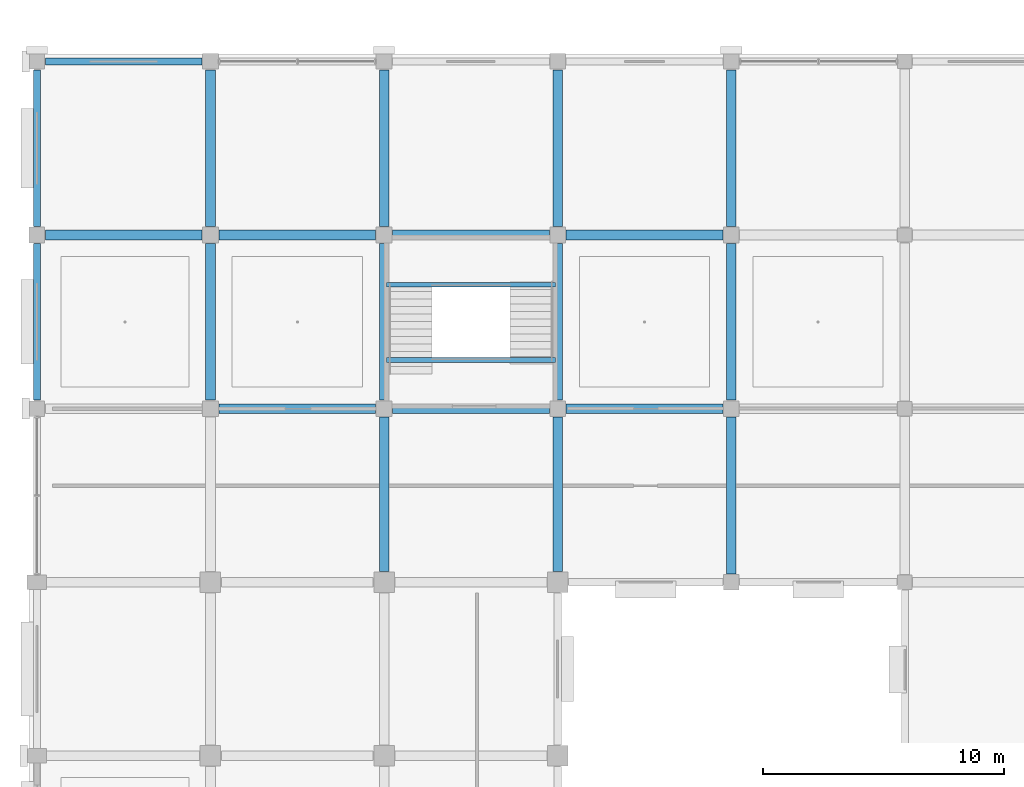
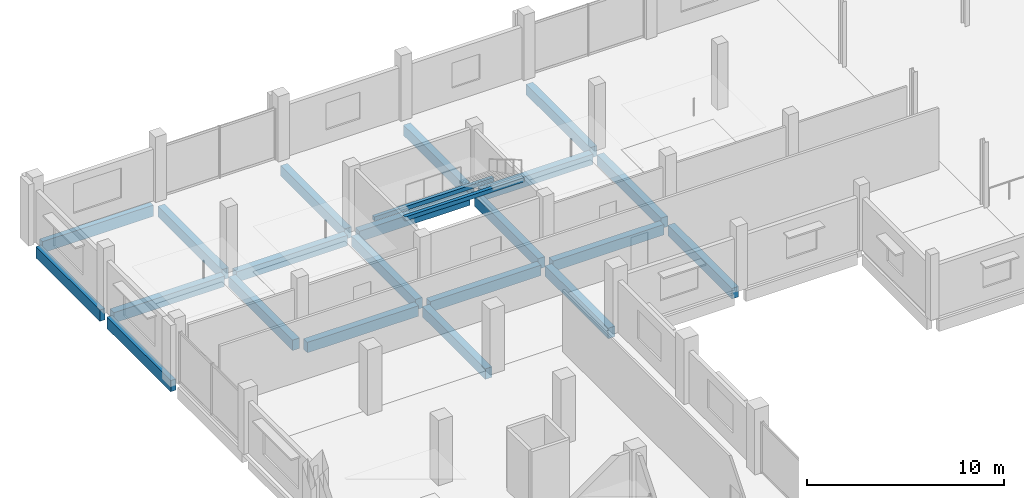
# One storey, part 33 of 107: 23 beams.
"""IFC4 building model written with IfcOpenShell, lengths in metres."""

import ifcopenshell
import ifcopenshell.guid

model = None  # the IFC model being written
_history = None  # IfcOwnerHistory: only IFC2X3 demands one
_inside = {}  # id of a spatial element -> (the spatial element, [elements in it])
_under = {}  # id of a project, library or spatial element -> (it, [spatial elements below it])
_declared = {}  # id of a project -> (the project, [libraries it declares])
_typed = {}  # id of a type object -> (the type object, [elements of that type])
_made_of = {}  # id of a material, layer set ... -> (it, [elements and type objects made of it])


def new_model(schema):
    """Start an empty IFC model of exactly this schema.

    Asked for "IFC4X3", IfcOpenShell would pick the latest addendum, in which some entities
    have other attributes; the version numbers below select the first issue.
    IFC2X3 requires an IfcOwnerHistory on every rooted entity: one is made here for all.
    """
    global model, _history
    if schema == "IFC4X3":
        model = ifcopenshell.file(schema_version=(4, 3, 0, 0))
    else:
        model = ifcopenshell.file(schema=schema)
    _inside.clear()
    _under.clear()
    _declared.clear()
    _typed.clear()
    _made_of.clear()
    _history = None
    if model.schema == "IFC2X3":
        org = make("IfcOrganization", Name="unknown")
        user = make(
            "IfcPersonAndOrganization",
            ThePerson=make("IfcPerson", FamilyName="unknown"),
            TheOrganization=org,
        )
        app = make(
            "IfcApplication",
            ApplicationDeveloper=org,
            Version="unknown",
            ApplicationFullName="unknown",
            ApplicationIdentifier="unknown",
        )
        _history = make(
            "IfcOwnerHistory",
            OwningUser=user,
            OwningApplication=app,
            ChangeAction="ADDED",
            CreationDate=0,
        )
    return model


def make(cls, **values):
    """One entity of the class cls with the attributes given. An attribute that is None is left unset."""
    return model.create_entity(
        cls, **{name: value for name, value in values.items() if value is not None}
    )


def rooted(cls, **values):
    """An entity with a GlobalId (a new one), such as an element, a storey or a relation."""
    return make(cls, GlobalId=ifcopenshell.guid.new(), OwnerHistory=_history, **values)


def si_unit(unit_type, name, prefix=None):
    """IfcSIUnit, for example si_unit("LENGTHUNIT", "METRE", prefix="MILLI")."""
    return make("IfcSIUnit", UnitType=unit_type, Prefix=prefix, Name=name)


def assignment(units):
    """IfcUnitAssignment: the units of a project."""
    return None if units is None else make("IfcUnitAssignment", Units=units)


def point(xyz):
    """IfcCartesianPoint."""
    return None if xyz is None else make("IfcCartesianPoint", Coordinates=xyz)


def direction(xyz):
    """IfcDirection."""
    return None if xyz is None else make("IfcDirection", DirectionRatios=xyz)


def frame(location, z_axis=None, x_axis=None):
    """IfcAxis2Placement3D, a coordinate frame: its origin and axes. An axis left out is left unset."""
    return make(
        "IfcAxis2Placement3D",
        Location=point(location),
        Axis=direction(z_axis),
        RefDirection=direction(x_axis),
    )


def frame_2d(location, x_axis=None):
    """IfcAxis2Placement2D, a coordinate frame in the plane: its origin and x axis."""
    return make(
        "IfcAxis2Placement2D", Location=point(location), RefDirection=direction(x_axis)
    )


def origin():
    """The frame at (0, 0, 0) with its axes left unset."""
    return frame((0.0, 0.0, 0.0))


def origin_2d():
    """The frame at (0, 0) in the plane with its x axis left unset."""
    return frame_2d((0.0, 0.0))


def place(relative_to, where):
    """IfcLocalPlacement: puts the frame where relative to a parent placement (None: the world)."""
    return make(
        "IfcLocalPlacement", PlacementRelTo=relative_to, RelativePlacement=where
    )


def context(
    kind, dimensions, precision=None, world=None, true_north=None, identifier=None
):
    """IfcGeometricRepresentationContext, for example the 3D "Model" context."""
    return make(
        "IfcGeometricRepresentationContext",
        ContextIdentifier=identifier,
        ContextType=kind,
        CoordinateSpaceDimension=dimensions,
        Precision=precision,
        WorldCoordinateSystem=world,
        TrueNorth=true_north,
    )


def subcontext(parent, identifier, kind, view, scale=None):
    """IfcGeometricRepresentationSubContext, for example "Body" below "Model"."""
    return make(
        "IfcGeometricRepresentationSubContext",
        ContextIdentifier=identifier,
        ContextType=kind,
        ParentContext=parent,
        TargetScale=scale,
        TargetView=view,
    )


def project(units=None, contexts=None):
    """IfcProject with its units and contexts."""
    return rooted(
        "IfcProject",
        Name="project",
        RepresentationContexts=contexts,
        UnitsInContext=assignment(units),
    )


def spatial(cls, under=None, at=None, **own):
    """A site, building, storey or space (cls), placed at a placement, below another one or the project."""
    s = rooted(cls, ObjectPlacement=at, **own)
    if under is not None:
        _under.setdefault(under.id(), (under, []))[1].append(s)
    return s


def profile(cls, at=None, kind="AREA", **sizes):
    """A parametric profile (cls). Its sizes go by their IFC names, for example OverallWidth=200.0."""
    return make(cls, ProfileType=kind, Position=at, **sizes)


def rectangle(**sizes):
    """IfcRectangleProfileDef."""
    return profile("IfcRectangleProfileDef", **sizes)


def extrude(swept, where, along, depth):
    """IfcExtrudedAreaSolid: the profile swept, set in the frame where, extruded along a direction by depth."""
    return make(
        "IfcExtrudedAreaSolid",
        SweptArea=swept,
        Position=where,
        ExtrudedDirection=direction(along),
        Depth=depth,
    )


def shape(context_of_items, identifier, shape_type, items):
    """IfcShapeRepresentation: the items that make up one representation, for example the "Body"."""
    return make(
        "IfcShapeRepresentation",
        ContextOfItems=context_of_items,
        RepresentationIdentifier=identifier,
        RepresentationType=shape_type,
        Items=items,
    )


def material(Name=None, Category=None):
    """IfcMaterial."""
    return make("IfcMaterial", Name=Name, Category=Category)


def material_profile(
    of_material, cross_section, Name=None, Category=None, Priority=None
):
    """IfcMaterialProfile: a cross section and its material."""
    return make(
        "IfcMaterialProfile",
        Name=Name,
        Material=of_material,
        Profile=cross_section,
        Priority=Priority,
        Category=Category,
    )


def profile_set(profiles, Name=None, composite=None):
    """IfcMaterialProfileSet."""
    return make(
        "IfcMaterialProfileSet",
        Name=Name,
        MaterialProfiles=profiles,
        CompositeProfile=composite,
    )


def made_of(thing, what):
    """Note that an element or type object is made of a material, layer set ...; save() writes the relation."""
    if what is not None:
        _made_of.setdefault(what.id(), (what, []))[1].append(thing)
    return thing


def type_object(cls, material=None, **own):
    """A type object (cls), such as IfcWallType, which elements share."""
    return made_of(rooted(cls, **own), material)


def element(
    cls,
    number,
    at=None,
    inside=None,
    cuts=None,
    type_object=None,
    material=None,
    context=None,
    identifier="Body",
    shape_type=None,
    held_by="IfcProductDefinitionShape",
    body=None,
    shapes=None,
    **own,
):
    """One element of the class cls, such as IfcWall. Its Tag is "e" and its number.

    at: its placement. inside: the storey or other place that contains it. cuts: it is an
    opening in that element (IfcRelVoidsElement). A single representation is given by context,
    identifier, shape_type and body (its items); several are given by shapes. held_by: the class
    of the entity that holds the representations. save() writes the other relations.
    """
    e = rooted(cls, Tag="e%d" % number, ObjectPlacement=at, **own)
    if body is not None:
        shapes = [shape(context, identifier, shape_type, body)]
    if shapes is not None:
        e.Representation = make(held_by, Representations=shapes)
    if inside is not None:
        _inside.setdefault(inside.id(), (inside, []))[1].append(e)
    if cuts is not None:
        rooted(
            "IfcRelVoidsElement", RelatingBuildingElement=cuts, RelatedOpeningElement=e
        )
    if type_object is not None:
        _typed.setdefault(type_object.id(), (type_object, []))[1].append(e)
    return made_of(e, material)


def aggregate(whole, parts):
    """IfcRelAggregates: a whole, such as a stair, and the parts it consists of."""
    return rooted("IfcRelAggregates", RelatingObject=whole, RelatedObjects=parts)


def save(model, path):
    """Write the relations noted so far, then the file.

    IfcRelAggregates (storeys below a building ...), IfcRelContainedInSpatialStructure (elements
    in a storey), IfcRelDefinesByType, IfcRelAssociatesMaterial and IfcRelDeclares: one each for
    every whole, place, type object, material and project.
    """
    for whole, parts in _under.values():
        aggregate(whole, parts)
    for where, things in _inside.values():
        rooted(
            "IfcRelContainedInSpatialStructure",
            RelatedElements=things,
            RelatingStructure=where,
        )
    for kind, things in _typed.values():
        rooted("IfcRelDefinesByType", RelatedObjects=things, RelatingType=kind)
    for what, things in _made_of.values():
        rooted("IfcRelAssociatesMaterial", RelatedObjects=things, RelatingMaterial=what)
    for by, libraries in _declared.values():
        rooted("IfcRelDeclares", RelatingContext=by, RelatedDefinitions=libraries)
    model.write(path)


model = new_model("IFC4")

# Units and contexts
model_context = context("Model", 3, precision=1e-05, world=origin(), true_north=direction((0.0, 1.0)))
body_context = subcontext(model_context, "Body", "Model", "MODEL_VIEW")
ifc_project = project(units=[si_unit("LENGTHUNIT", "METRE"), si_unit("AREAUNIT", "SQUARE_METRE"), si_unit("VOLUMEUNIT", "CUBIC_METRE"), si_unit("PLANEANGLEUNIT", "RADIAN"), si_unit("MASSUNIT", "GRAM", prefix="KILO")], contexts=[model_context])

# Site, building, storey
site_placement = place(None, origin())
site = spatial("IfcSite", under=ifc_project, at=site_placement, CompositionType="ELEMENT")
building_placement = place(site_placement, origin())
building = spatial("IfcBuilding", under=site, at=building_placement, Name="Kangsadwip Square Police Headquarters", CompositionType="ELEMENT")
storey_placement = place(building_placement, frame((0.0, 0.0, 5.39990234375)))
storey = spatial("IfcBuildingStorey", under=building, at=storey_placement, Name="L01", CompositionType="ELEMENT", Elevation=5.39990234375)

# Beams
ifc_material_1 = material(Name="Concrete M35 (35 MPa)", Category="concrete")
ifc_material_profile_1 = material_profile(ifc_material_1, rectangle(XDim=0.39990234375, YDim=0.64990234375, at=origin_2d()), Name="RC BM 650X400")
ifc_profile_set_1 = profile_set([ifc_material_profile_1], Name="Concrete M35 (35 MPa)")
beam_type_1 = type_object("IfcBeamType", Name="RcBeam650x400", PredefinedType="BEAM", material=ifc_profile_set_1)
for number, where, z_axis, x_axis, name in (
    (1, (7.550048828125, 100.800048828125, -0.56494140625), (1.0, 0.0, 0.0), (0.0, 1.0, 0.0), "Beam BM-L01-X-01-14"),
    (2, (14.75, 100.800048828125, -0.56494140625), (1.0, 0.0, 0.0), (0.0, 1.0, 0.0), "Beam BM-L01-X-02-14"),
    (3, (21.949951171875, 100.800048828125, -0.56494140625), (1.0, 0.0, 0.0), (0.0, 1.0, 0.0), "Beam BM-L01-X-03-14"),
    (4, (0.35009765625, 108.0, -0.56494140625), (1.0, 0.0, 0.0), (0.0, 1.0, 0.0), "Beam BM-L01-X-00-15"),
    (5, (7.550048828125, 108.0, -0.56494140625), (1.0, 0.0, 0.0), (0.0, 1.0, 0.0), "Beam BM-L01-X-01-15"),
    (6, (14.75, 108.0, -0.56494140625), (1.0, 0.0, 0.0), (0.0, 1.0, 0.0), "Beam BM-L01-X-02-15"),
    (7, (21.949951171875, 108.0, -0.56494140625), (1.0, 0.0, 0.0), (0.0, 1.0, 0.0), "Beam BM-L01-X-03-15"),
    (8, (7.199951171875, 101.14990234375, -0.56494140625), (0.0, 1.0, 0.0), (-1.0, 0.0, 0.0), "Beam BM-L01-Y-01-14"),
    (9, (7.199951171875, 108.35009765625, -0.56494140625), (0.0, 1.0, 0.0), (-1.0, 0.0, 0.0), "Beam BM-L01-Y-01-15"),
):
    element("IfcBeam", number, at=place(storey_placement, frame(where, z_axis=z_axis, x_axis=x_axis)), inside=storey, type_object=beam_type_1, Name=name, PredefinedType="BEAM", context=body_context, shape_type="SweptSolid", body=[
        extrude(rectangle(XDim=0.39990234375, YDim=0.64990234375, at=origin_2d()), origin(), (0.0, 0.0, 1.0), 6.5),
    ])
beam_1_placement = place(storey_placement, frame((14.39990234375, 94.050048828125, -0.56494140625), z_axis=(0.0, 1.0, 0.0), x_axis=(-1.0, 0.0, 0.0)))
element("IfcBeam", 10, at=beam_1_placement, inside=storey, type_object=beam_type_1, Name="Beam BM-L01-Y-02-13", PredefinedType="BEAM", context=body_context, shape_type="SweptSolid", body=[
    extrude(rectangle(XDim=0.39990234375, YDim=0.64990234375, at=origin_2d()), origin(), (0.0, 0.0, 1.0), 6.39990234375),
])
for number, where, z_axis, x_axis, name in (
    (11, (14.39990234375, 101.14990234375, -0.56494140625), (0.0, 1.0, 0.0), (-1.0, 0.0, 0.0), "Beam BM-L01-Y-02-14"),
    (12, (14.39990234375, 108.35009765625, -0.56494140625), (0.0, 1.0, 0.0), (-1.0, 0.0, 0.0), "Beam BM-L01-Y-02-15"),
):
    element("IfcBeam", number, at=place(storey_placement, frame(where, z_axis=z_axis, x_axis=x_axis)), inside=storey, type_object=beam_type_1, Name=name, PredefinedType="BEAM", context=body_context, shape_type="SweptSolid", body=[
        extrude(rectangle(XDim=0.39990234375, YDim=0.64990234375, at=origin_2d()), origin(), (0.0, 0.0, 1.0), 6.5),
    ])
beam_2_placement = place(storey_placement, frame((21.60009765625, 94.050048828125, -0.56494140625), z_axis=(0.0, 1.0, 0.0), x_axis=(-1.0, 0.0, 0.0)))
element("IfcBeam", 13, at=beam_2_placement, inside=storey, type_object=beam_type_1, Name="Beam BM-L01-Y-03-13", PredefinedType="BEAM", context=body_context, shape_type="SweptSolid", body=[
    extrude(rectangle(XDim=0.39990234375, YDim=0.64990234375, at=origin_2d()), origin(), (0.0, 0.0, 1.0), 6.39990234375),
])
for number, where, z_axis, x_axis, name in (
    (14, (21.60009765625, 101.14990234375, -0.56494140625), (0.0, 1.0, 0.0), (-1.0, 0.0, 0.0), "Beam BM-L01-Y-03-14"),
    (15, (21.60009765625, 108.35009765625, -0.56494140625), (0.0, 1.0, 0.0), (-1.0, 0.0, 0.0), "Beam BM-L01-Y-03-15"),
    (16, (28.800048828125, 93.949951171875, -0.56494140625), (0.0, 1.0, 0.0), (-1.0, 0.0, 0.0), "Beam BM-L01-Y-04-13"),
    (17, (28.800048828125, 101.14990234375, -0.56494140625), (0.0, 1.0, 0.0), (-1.0, 0.0, 0.0), "Beam BM-L01-Y-04-14"),
    (18, (28.800048828125, 108.35009765625, -0.56494140625), (0.0, 1.0, 0.0), (-1.0, 0.0, 0.0), "Beam BM-L01-Y-04-15"),
):
    element("IfcBeam", number, at=place(storey_placement, frame(where, z_axis=z_axis, x_axis=x_axis)), inside=storey, type_object=beam_type_1, Name=name, PredefinedType="BEAM", context=body_context, shape_type="SweptSolid", body=[
        extrude(rectangle(XDim=0.39990234375, YDim=0.64990234375, at=origin_2d()), origin(), (0.0, 0.0, 1.0), 6.5),
    ])
ifc_material_2 = material(Name="Concrete M30 (30 MPa)", Category="concrete")
ifc_material_profile_2 = material_profile(ifc_material_2, rectangle(XDim=0.199951171875, YDim=0.25, at=origin_2d()), Name="RC LNT 250X200")
ifc_profile_set_2 = profile_set([ifc_material_profile_2], Name="Concrete M30 (30 MPa)")
beam_type_2 = type_object("IfcBeamType", Name="RcLintel250x200", PredefinedType="LINTEL", material=ifc_profile_set_2)
for number, where, z_axis, x_axis, name in (
    (19, (14.5, 105.93994140625, 1.801025390625), (1.0, 0.0, 0.0), (0.0, 1.0, 0.0), "Stair Carriage and Landing Beam BM-ST-L01-092"),
    (20, (14.5, 102.820068359375, 3.68505859375), (1.0, 0.0, 0.0), (0.0, 1.0, 0.0), "Stair Carriage and Landing Beam BM-ST-L01-093"),
):
    element("IfcBeam", number, at=place(storey_placement, frame(where, z_axis=z_axis, x_axis=x_axis)), inside=storey, type_object=beam_type_2, Name=name, PredefinedType="BEAM", context=body_context, shape_type="SweptSolid", body=[
        extrude(rectangle(XDim=0.199951171875, YDim=0.25, at=origin_2d()), origin(), (0.0, 0.0, 1.0), 7.0),
    ])
ifc_material_3 = material(Name="Concrete M40 (40 MPa)", Category="concrete")
ifc_material_profile_3 = material_profile(ifc_material_3, rectangle(XDim=0.300048828125, YDim=0.699951171875, at=origin_2d()), Name="RC SPN 700X300")
ifc_profile_set_3 = profile_set([ifc_material_profile_3], Name="Concrete M40 (40 MPa)")
beam_type_3 = type_object("IfcBeamType", Name="RcSpandrel700x300", PredefinedType="SPANDREL", material=ifc_profile_set_3)
for number, where, z_axis, x_axis, name in (
    (21, (0.35009765625, 115.199951171875, -0.58984375), (1.0, 0.0, 0.0), (0.0, 1.0, 0.0), "Beam BM-L01-X-00-16"),
    (22, (0.0, 101.14990234375, -0.58984375), (0.0, 1.0, 0.0), (-1.0, 0.0, 0.0), "Beam BM-L01-Y-00-14"),
    (23, (0.0, 108.35009765625, -0.58984375), (0.0, 1.0, 0.0), (-1.0, 0.0, 0.0), "Beam BM-L01-Y-00-15"),
):
    element("IfcBeam", number, at=place(storey_placement, frame(where, z_axis=z_axis, x_axis=x_axis)), inside=storey, type_object=beam_type_3, Name=name, PredefinedType="SPANDREL", context=body_context, shape_type="SweptSolid", body=[
        extrude(rectangle(XDim=0.300048828125, YDim=0.699951171875, at=origin_2d()), origin(), (0.0, 0.0, 1.0), 6.5),
    ])

save(model, "model.ifc")
